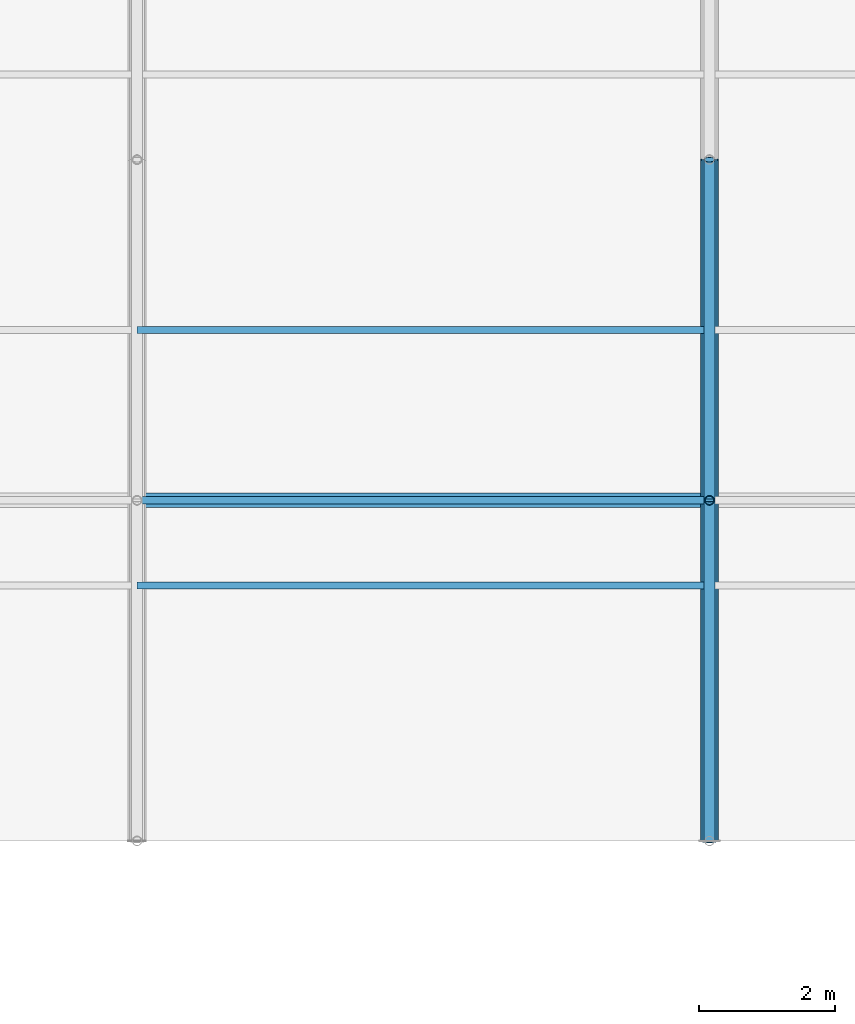
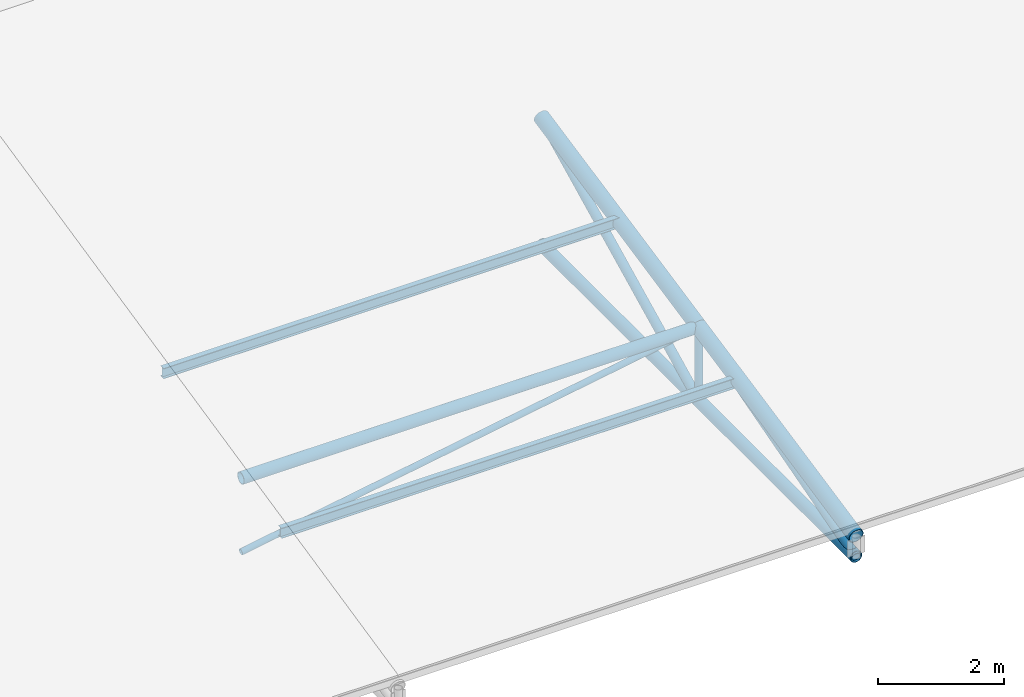
# One storey, part 19 of 194: 9 members, 2 beams.
"""IFC4 building model written with IfcOpenShell, lengths in metres."""

from ifc_helpers import new_model, si_unit, direction, frame, origin, origin_2d, place, context, subcontext, project, spatial, hollow_circle, i_section, extrude, material, material_profile, profile_set, type_object, element, save


model = new_model("IFC4")

# Units and contexts
model_context = context("Model", 3, precision=1e-05, world=origin(), true_north=direction((0.0, 1.0)))
body_context = subcontext(model_context, "Body", "Model", "MODEL_VIEW")
ifc_project = project(units=[si_unit("LENGTHUNIT", "METRE"), si_unit("AREAUNIT", "SQUARE_METRE"), si_unit("VOLUMEUNIT", "CUBIC_METRE"), si_unit("PLANEANGLEUNIT", "RADIAN"), si_unit("MASSUNIT", "GRAM", prefix="KILO")], contexts=[model_context])

# Site, building, storey
site_placement = place(None, origin())
site = spatial("IfcSite", under=ifc_project, at=site_placement, CompositionType="ELEMENT")
building_placement = place(site_placement, origin())
building = spatial("IfcBuilding", under=site, at=building_placement, Name="Kazenagashi Tramway Depot", CompositionType="ELEMENT")
storey_placement = place(building_placement, frame((0.0, 0.0, 23.7)))
storey = spatial("IfcBuildingStorey", under=building, at=storey_placement, Name="ROOF", CompositionType="ELEMENT", Elevation=23.7)

# Beams
ifc_material_1 = material(Name="Steel SN400B", Category="steel")
ifc_material_profile_1 = material_profile(ifc_material_1, i_section(OverallWidth=0.1, OverallDepth=0.2, WebThickness=0.0055, FlangeThickness=0.008, at=origin_2d()), Name="H-200x100x5.5x8")
ifc_profile_set_1 = profile_set([ifc_material_profile_1], Name="Steel SN400B")
beam_type = type_object("IfcBeamType", Name="PR-01", PredefinedType="USERDEFINED", material=ifc_profile_set_1)
for number, where, z_axis, x_axis, name in (
    (1, (70.0, 73.75, -12.955), (1.0, 0.0, 0.0), (0.0, 1.0, 0.0), "Beam PR-01 BM-2021"),
    (2, (70.0, 77.5, -12.13), (1.0, 0.0, 0.0), (0.0, 1.0, 0.0), "Beam PR-01 BM-2039"),
):
    element("IfcBeam", number, at=place(storey_placement, frame(where, z_axis=z_axis, x_axis=x_axis)), inside=storey, type_object=beam_type, Name=name, ObjectType="PURLIN", PredefinedType="USERDEFINED", context=body_context, shape_type="SweptSolid", body=[
        extrude(i_section(OverallWidth=0.1, OverallDepth=0.2, WebThickness=0.0055, FlangeThickness=0.008, at=origin_2d()), origin(), (0.0, 0.0, 1.0), 8.4),
    ])

# Members
ifc_material_2 = material(Name="Steel STK490", Category="steel")
ifc_material_profile_2 = material_profile(ifc_material_2, hollow_circle(Radius=0.1337, WallThickness=0.0093, at=origin_2d()), Name="CHS-267.4x9.3")
ifc_profile_set_2 = profile_set([ifc_material_profile_2], Name="Steel STK490")
member_type_1 = type_object("IfcMemberType", Name="TC-01", PredefinedType="CHORD", material=ifc_profile_set_2)
member_1_placement = place(storey_placement, frame((78.4, 70.0, -13.7), z_axis=(0.0, 0.979317999984, 0.202327098797), x_axis=(-1.0, 0.0, 0.0)))
element("IfcMember", 3, at=member_1_placement, inside=storey, type_object=member_type_1, Name="Tubular Space Frame TC-01 MEM-0245", PredefinedType="CHORD", context=body_context, shape_type="SweptSolid", body=[
    extrude(hollow_circle(Radius=0.1337, WallThickness=0.0093, at=origin_2d()), origin(), (0.0, 0.0, 1.0), 5.105594),
])
member_2_placement = place(storey_placement, frame((78.4, 75.0, -12.667), z_axis=(0.0, 0.979279174591, 0.202514933305), x_axis=(-1.0, 0.0, 0.0)))
element("IfcMember", 4, at=member_2_placement, inside=storey, type_object=member_type_1, Name="Tubular Space Frame TC-01 MEM-0248", PredefinedType="CHORD", context=body_context, shape_type="SweptSolid", body=[
    extrude(hollow_circle(Radius=0.1337, WallThickness=0.0093, at=origin_2d()), origin(), (0.0, 0.0, 1.0), 5.105796),
])
ifc_material_profile_3 = material_profile(ifc_material_2, hollow_circle(Radius=0.10815, WallThickness=0.0082, at=origin_2d()), Name="CHS-216.3x8.2")
ifc_profile_set_3 = profile_set([ifc_material_profile_3], Name="Steel STK490")
member_type_2 = type_object("IfcMemberType", Name="TC-02", PredefinedType="CHORD", material=ifc_profile_set_3)
member_3_placement = place(storey_placement, frame((70.0, 75.0, -12.667), z_axis=(1.0, 0.0, 0.0), x_axis=(0.0, 1.0, 0.0)))
element("IfcMember", 5, at=member_3_placement, inside=storey, type_object=member_type_2, Name="Tubular Space Frame TC-02 MEM-0209", PredefinedType="CHORD", context=body_context, shape_type="SweptSolid", body=[
    extrude(hollow_circle(Radius=0.10815, WallThickness=0.0082, at=origin_2d()), origin(), (0.0, 0.0, 1.0), 8.4),
])
for number, where, z_axis, x_axis, name in (
    (6, (78.4, 70.0, -14.1), (0.0, 1.0, 0.0), (-1.0, 0.0, 0.0), "Tubular Space Frame TC-02 MEM-0246"),
    (7, (78.4, 75.0, -14.1), (0.0, 1.0, 0.0), (-1.0, 0.0, 0.0), "Tubular Space Frame TC-02 MEM-0249"),
):
    element("IfcMember", number, at=place(storey_placement, frame(where, z_axis=z_axis, x_axis=x_axis)), inside=storey, type_object=member_type_2, Name=name, PredefinedType="CHORD", context=body_context, shape_type="SweptSolid", body=[
        extrude(hollow_circle(Radius=0.10815, WallThickness=0.0082, at=origin_2d()), origin(), (0.0, 0.0, 1.0), 5.0),
    ])
ifc_material_profile_4 = material_profile(ifc_material_2, hollow_circle(Radius=0.0826, WallThickness=0.0071, at=origin_2d()), Name="CHS-165.2x7.1")
ifc_profile_set_4 = profile_set([ifc_material_profile_4], Name="Steel STK490")
member_type_3 = type_object("IfcMemberType", Name="TS-01", PredefinedType="STRUT", material=ifc_profile_set_4)
member_4_placement = place(storey_placement, frame((78.4, 70.0, -14.1), z_axis=(0.0, 0.961298717795, 0.27550821252), x_axis=(-1.0, 0.0, 0.0)))
element("IfcMember", 8, at=member_4_placement, inside=storey, type_object=member_type_3, Name="Tubular Space Frame TS-01 MEM-0247", PredefinedType="STRUT", context=body_context, shape_type="SweptSolid", body=[
    extrude(hollow_circle(Radius=0.0826, WallThickness=0.0071, at=origin_2d()), origin(), (0.0, 0.0, 1.0), 5.201297),
])
member_5_placement = place(storey_placement, frame((78.4, 75.0, -14.1), z_axis=(0.0, 0.896782162482, 0.442472318969), x_axis=(-1.0, 0.0, 0.0)))
element("IfcMember", 9, at=member_5_placement, inside=storey, type_object=member_type_3, Name="Tubular Space Frame TS-01 MEM-0250", PredefinedType="STRUT", context=body_context, shape_type="SweptSolid", body=[
    extrude(hollow_circle(Radius=0.0826, WallThickness=0.0071, at=origin_2d()), origin(), (0.0, 0.0, 1.0), 5.57549),
])
ifc_material_profile_5 = material_profile(ifc_material_2, hollow_circle(Radius=0.0699, WallThickness=0.0066, at=origin_2d()), Name="CHS-139.8x6.6")
ifc_profile_set_5 = profile_set([ifc_material_profile_5], Name="Steel STK490")
member_type_4 = type_object("IfcMemberType", Name="TS-02", PredefinedType="STRUT", material=ifc_profile_set_5)
member_6_placement = place(storey_placement, frame((78.4, 75.0, -14.1), z_axis=(0.0, 0.0, 1.0), x_axis=(1.0, 0.0, 0.0)))
element("IfcMember", 10, at=member_6_placement, inside=storey, type_object=member_type_4, Name="Tubular Space Frame TS-02 MEM-0264", PredefinedType="STRUT", context=body_context, shape_type="SweptSolid", body=[
    extrude(hollow_circle(Radius=0.0699, WallThickness=0.0066, at=origin_2d()), origin(), (0.0, 0.0, 1.0), 1.433),
])
ifc_material_3 = material(Name="Steel STK400", Category="steel")
ifc_material_profile_6 = material_profile(ifc_material_3, hollow_circle(Radius=0.05715, WallThickness=0.0045, at=origin_2d()), Name="CHS-114.3x4.5")
ifc_profile_set_6 = profile_set([ifc_material_profile_6], Name="Steel STK400")
member_type_5 = type_object("IfcMemberType", Name="TS-03", PredefinedType="STRUT", material=ifc_profile_set_6)
member_7_placement = place(storey_placement, frame((70.0, 75.0, -14.1), z_axis=(0.985758734117, 0.0, 0.168165745951), x_axis=(0.0, 1.0, 0.0)))
element("IfcMember", 11, at=member_7_placement, inside=storey, type_object=member_type_5, Name="Tubular Space Frame TS-03 MEM-0210", PredefinedType="STRUT", context=body_context, shape_type="SweptSolid", body=[
    extrude(hollow_circle(Radius=0.05715, WallThickness=0.0045, at=origin_2d()), origin(), (0.0, 0.0, 1.0), 8.521355),
])

save(model, "model.ifc")
